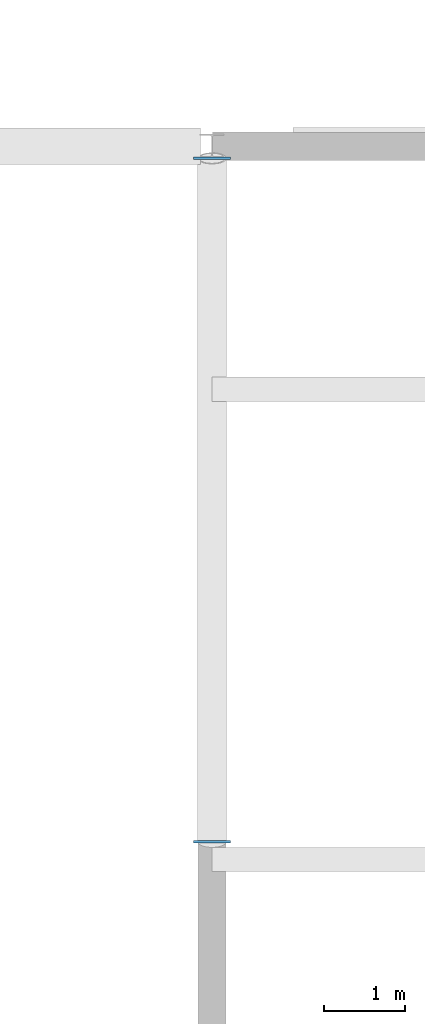
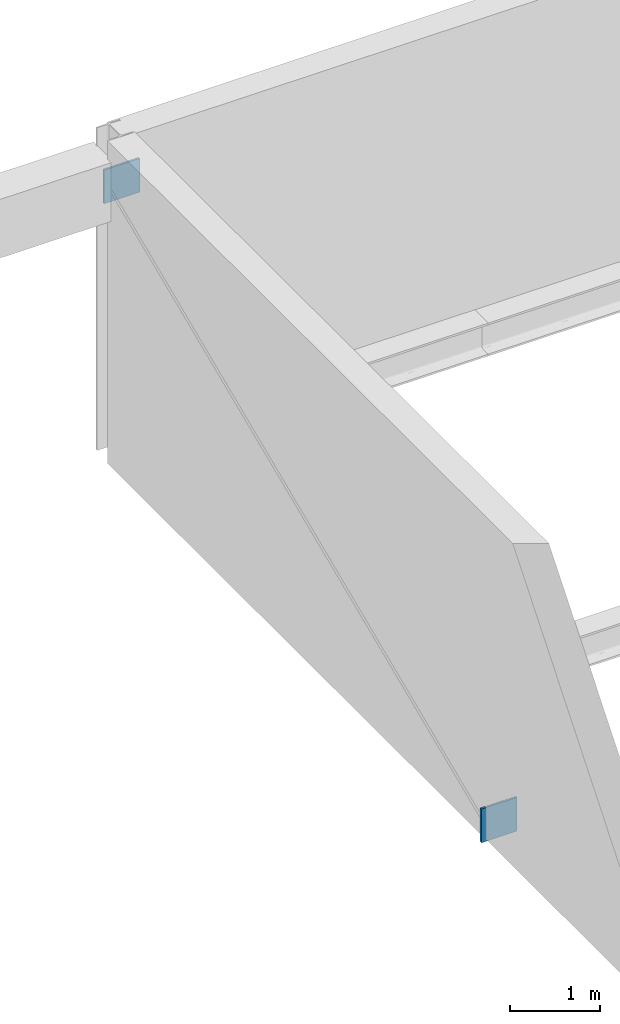
# One storey, part 36 of 47: 2 plates.
"""IFC4 building model written with IfcOpenShell, lengths in metres."""

from ifc_helpers import new_model, si_unit, direction, frame, origin, origin_2d, place, context, subcontext, project, spatial, rectangle, extrude, material, layer, layer_set, type_object, element, save


model = new_model("IFC4")

# Units and contexts
model_context = context("Model", 3, precision=1e-05, world=origin(), true_north=direction((0.0, 1.0)))
body_context = subcontext(model_context, "Body", "Model", "MODEL_VIEW")
ifc_project = project(units=[si_unit("LENGTHUNIT", "METRE"), si_unit("AREAUNIT", "SQUARE_METRE"), si_unit("VOLUMEUNIT", "CUBIC_METRE"), si_unit("PLANEANGLEUNIT", "RADIAN"), si_unit("MASSUNIT", "GRAM", prefix="KILO")], contexts=[model_context])

# Site, building, storey
site_placement = place(None, origin())
site = spatial("IfcSite", under=ifc_project, at=site_placement, CompositionType="ELEMENT")
building_placement = place(site_placement, origin())
building = spatial("IfcBuilding", under=site, at=building_placement, Name="Muzn Square Opera House", CompositionType="ELEMENT")
storey_placement = place(building_placement, frame((0.0, 0.0, 31.0)))
storey = spatial("IfcBuildingStorey", under=building, at=storey_placement, Name="RF-1", CompositionType="ELEMENT", Elevation=31.0)

# Plates
ifc_material = material(Name="Steel S355", Category="steel")
ifc_layer = layer(ifc_material, 0.028076171875, Name="Steel S355", Category="steel")
ifc_layer_set = layer_set([ifc_layer], Name="Steel S355")
plate_type = type_object("IfcPlateType", Name="Gusset Plate 28mm 460x460", PredefinedType="USERDEFINED", material=ifc_layer_set)
for number, where, z_axis, x_axis, name in (
    (1, (73.0, 90.02001953125, -0.030029296875), (0.0, 0.0, 1.0), (1.0, 0.0, 0.0), "Lateral Brace End Cap Plate SBRC-07-A"),
    (2, (73.0, 98.449951171875, 3.570068359375), (0.0, 0.0, 1.0), (1.0, 0.0, 0.0), "Lateral Brace End Cap Plate SBRC-07-B"),
):
    element("IfcPlate", number, at=place(storey_placement, frame(where, z_axis=z_axis, x_axis=x_axis)), inside=storey, type_object=plate_type, Name=name, ObjectType="GUSSET PLATE", PredefinedType="USERDEFINED", context=body_context, shape_type="SweptSolid", body=[
        extrude(rectangle(XDim=0.4599609375, YDim=0.028076171875, at=origin_2d()), origin(), (0.0, 0.0, 1.0), 0.4599609375),
    ])

save(model, "model.ifc")
